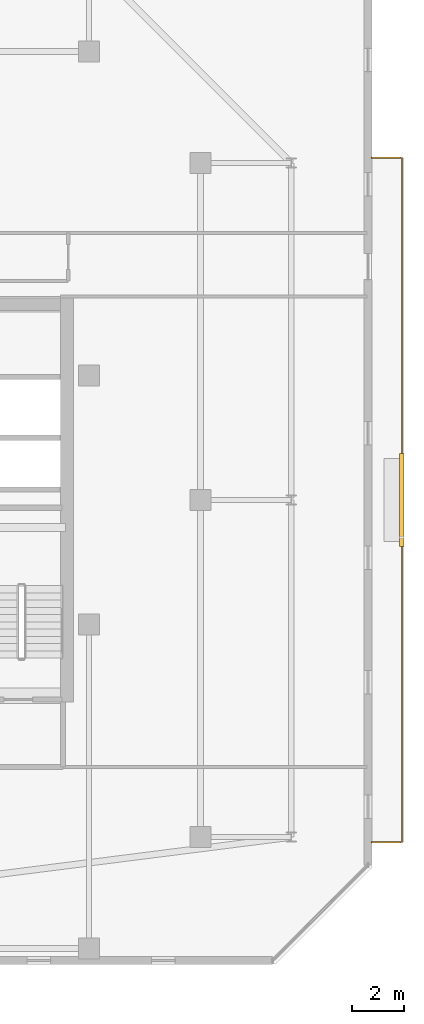
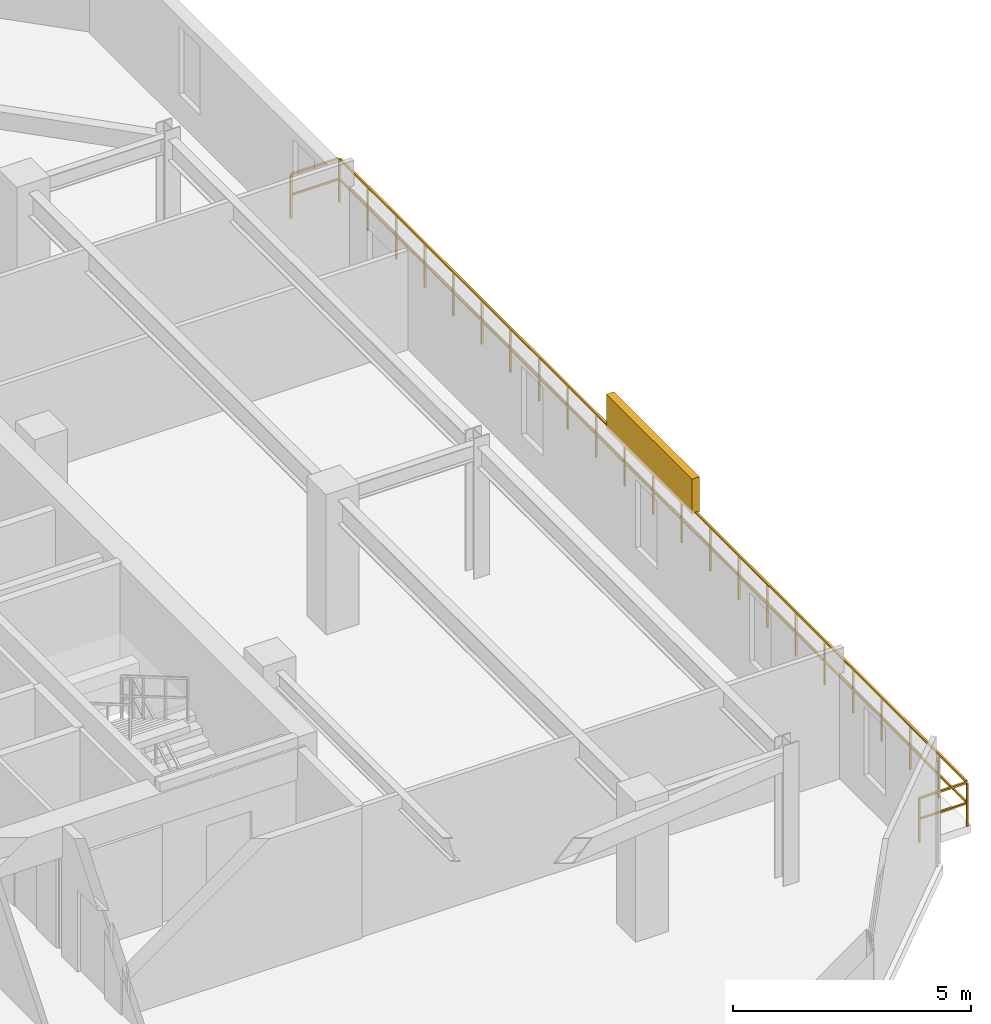
# One storey, part 34 of 34: 1 railing, 1 shading device.
"""IFC4 building model written with IfcOpenShell, lengths in metres."""

from ifc_helpers import new_model, si_unit, direction, frame, origin, origin_2d, place, context, subcontext, project, spatial, rectangle, extrude, material, type_object, element, save


model = new_model("IFC4")

# Units and contexts
model_context = context("Model", 3, precision=1e-05, world=origin(), true_north=direction((0.0, 1.0)))
body_context = subcontext(model_context, "Body", "Model", "MODEL_VIEW")
ifc_project = project(units=[si_unit("LENGTHUNIT", "METRE"), si_unit("AREAUNIT", "SQUARE_METRE"), si_unit("VOLUMEUNIT", "CUBIC_METRE"), si_unit("PLANEANGLEUNIT", "RADIAN"), si_unit("MASSUNIT", "GRAM", prefix="KILO")], contexts=[model_context])

# Site, building, storey
site_placement = place(None, origin())
site = spatial("IfcSite", under=ifc_project, at=site_placement, CompositionType="ELEMENT")
building_placement = place(site_placement, origin())
building = spatial("IfcBuilding", under=site, at=building_placement, Name="Thornwick Lancets Civic Towers", CompositionType="ELEMENT")
storey_placement = place(building_placement, frame((0.0, 0.0, 261.89990234375)))
storey = spatial("IfcBuildingStorey", under=building, at=storey_placement, Name="L70", CompositionType="ELEMENT", Elevation=261.89990234375)

# Railing
ifc_material_1 = material(Name="Terracotta-capped laminated glass balustrade S355", Category="masonry")
railing_type = type_object("IfcRailingType", Name="RAIL_TERR_GUARD", PredefinedType="GUARDRAIL", material=ifc_material_1)
railing_placement = place(storey_placement, frame((112.39990234375, 13.800048828125, 0.0)))
element("IfcRailing", 1, at=railing_placement, inside=storey, type_object=railing_type, Name="L70 Tower B Balcony Guard E", PredefinedType="GUARDRAIL", context=body_context, shape_type="SweptSolid", body=[
    extrude(rectangle(XDim=0.048095703125, YDim=0.048095703125, at=origin_2d()), frame((0.0, 0.0, 1.1259765625), z_axis=(1.0, 0.0, 0.0), x_axis=(0.0, 1.0, 0.0)), (0.0, 0.0, 1.0), 1.138916015625),
    extrude(rectangle(XDim=0.0419921875, YDim=0.0419921875, at=origin_2d()), frame((0.03759765625, 0.0, 0.597900390625), z_axis=(1.0, 0.0, 0.0), x_axis=(0.0, 1.0, 0.0)), (0.0, 0.0, 1.0), 1.09521484375),
    extrude(rectangle(XDim=0.048095703125, YDim=0.048095703125, at=origin_2d()), frame((1.170166015625, 0.03125, 1.1259765625), z_axis=(0.0, 1.0, 0.0), x_axis=(-1.0, 0.0, 0.0)), (0.0, 0.0, 1.0), 26.33740234375),
    extrude(rectangle(XDim=0.0419921875, YDim=0.0419921875, at=origin_2d()), frame((1.170166015625, 0.03759765625, 0.597900390625), z_axis=(0.0, 1.0, 0.0), x_axis=(-1.0, 0.0, 0.0)), (0.0, 0.0, 1.0), 1.125),
    extrude(rectangle(XDim=0.0419921875, YDim=0.0419921875, at=origin_2d()), frame((1.170166015625, 1.237548828125, 0.597900390625), z_axis=(0.0, 1.0, 0.0), x_axis=(-1.0, 0.0, 0.0)), (0.0, 0.0, 1.0), 1.125),
    extrude(rectangle(XDim=0.0419921875, YDim=0.0419921875, at=origin_2d()), frame((1.170166015625, 2.4375, 0.597900390625), z_axis=(0.0, 1.0, 0.0), x_axis=(-1.0, 0.0, 0.0)), (0.0, 0.0, 1.0), 1.125),
    extrude(rectangle(XDim=0.0419921875, YDim=0.0419921875, at=origin_2d()), frame((1.170166015625, 3.637451171875, 0.597900390625), z_axis=(0.0, 1.0, 0.0), x_axis=(-1.0, 0.0, 0.0)), (0.0, 0.0, 1.0), 1.125),
    extrude(rectangle(XDim=0.0419921875, YDim=0.0419921875, at=origin_2d()), frame((1.170166015625, 4.83740234375, 0.597900390625), z_axis=(0.0, 1.0, 0.0), x_axis=(-1.0, 0.0, 0.0)), (0.0, 0.0, 1.0), 1.125),
    extrude(rectangle(XDim=0.0419921875, YDim=0.0419921875, at=origin_2d()), frame((1.170166015625, 6.037353515625, 0.597900390625), z_axis=(0.0, 1.0, 0.0), x_axis=(-1.0, 0.0, 0.0)), (0.0, 0.0, 1.0), 1.125),
    extrude(rectangle(XDim=0.0419921875, YDim=0.0419921875, at=origin_2d()), frame((1.170166015625, 7.237548828125, 0.597900390625), z_axis=(0.0, 1.0, 0.0), x_axis=(-1.0, 0.0, 0.0)), (0.0, 0.0, 1.0), 1.125),
    extrude(rectangle(XDim=0.0419921875, YDim=0.0419921875, at=origin_2d()), frame((1.170166015625, 8.4375, 0.597900390625), z_axis=(0.0, 1.0, 0.0), x_axis=(-1.0, 0.0, 0.0)), (0.0, 0.0, 1.0), 1.125),
    extrude(rectangle(XDim=0.0419921875, YDim=0.0419921875, at=origin_2d()), frame((1.170166015625, 9.637451171875, 0.597900390625), z_axis=(0.0, 1.0, 0.0), x_axis=(-1.0, 0.0, 0.0)), (0.0, 0.0, 1.0), 1.125),
    extrude(rectangle(XDim=0.0419921875, YDim=0.0419921875, at=origin_2d()), frame((1.170166015625, 10.83740234375, 0.597900390625), z_axis=(0.0, 1.0, 0.0), x_axis=(-1.0, 0.0, 0.0)), (0.0, 0.0, 1.0), 1.125),
    extrude(rectangle(XDim=0.0419921875, YDim=0.0419921875, at=origin_2d()), frame((1.170166015625, 12.037353515625, 0.597900390625), z_axis=(0.0, 1.0, 0.0), x_axis=(-1.0, 0.0, 0.0)), (0.0, 0.0, 1.0), 1.125),
    extrude(rectangle(XDim=0.0419921875, YDim=0.0419921875, at=origin_2d()), frame((1.170166015625, 13.237548828125, 0.597900390625), z_axis=(0.0, 1.0, 0.0), x_axis=(-1.0, 0.0, 0.0)), (0.0, 0.0, 1.0), 1.125),
    extrude(rectangle(XDim=0.0419921875, YDim=0.0419921875, at=origin_2d()), frame((1.170166015625, 14.4375, 0.597900390625), z_axis=(0.0, 1.0, 0.0), x_axis=(-1.0, 0.0, 0.0)), (0.0, 0.0, 1.0), 1.125),
    extrude(rectangle(XDim=0.0419921875, YDim=0.0419921875, at=origin_2d()), frame((1.170166015625, 15.637451171875, 0.597900390625), z_axis=(0.0, 1.0, 0.0), x_axis=(-1.0, 0.0, 0.0)), (0.0, 0.0, 1.0), 1.125),
    extrude(rectangle(XDim=0.0419921875, YDim=0.0419921875, at=origin_2d()), frame((1.170166015625, 16.83740234375, 0.597900390625), z_axis=(0.0, 1.0, 0.0), x_axis=(-1.0, 0.0, 0.0)), (0.0, 0.0, 1.0), 1.125),
    extrude(rectangle(XDim=0.0419921875, YDim=0.0419921875, at=origin_2d()), frame((1.170166015625, 18.037353515625, 0.597900390625), z_axis=(0.0, 1.0, 0.0), x_axis=(-1.0, 0.0, 0.0)), (0.0, 0.0, 1.0), 1.125),
    extrude(rectangle(XDim=0.0419921875, YDim=0.0419921875, at=origin_2d()), frame((1.170166015625, 19.2373046875, 0.597900390625), z_axis=(0.0, 1.0, 0.0), x_axis=(-1.0, 0.0, 0.0)), (0.0, 0.0, 1.0), 1.125),
    extrude(rectangle(XDim=0.0419921875, YDim=0.0419921875, at=origin_2d()), frame((1.170166015625, 20.4375, 0.597900390625), z_axis=(0.0, 1.0, 0.0), x_axis=(-1.0, 0.0, 0.0)), (0.0, 0.0, 1.0), 1.125),
    extrude(rectangle(XDim=0.0419921875, YDim=0.0419921875, at=origin_2d()), frame((1.170166015625, 21.637451171875, 0.597900390625), z_axis=(0.0, 1.0, 0.0), x_axis=(-1.0, 0.0, 0.0)), (0.0, 0.0, 1.0), 1.125),
    extrude(rectangle(XDim=0.0419921875, YDim=0.0419921875, at=origin_2d()), frame((1.170166015625, 22.83740234375, 0.597900390625), z_axis=(0.0, 1.0, 0.0), x_axis=(-1.0, 0.0, 0.0)), (0.0, 0.0, 1.0), 1.125),
    extrude(rectangle(XDim=0.0419921875, YDim=0.0419921875, at=origin_2d()), frame((1.170166015625, 24.037353515625, 0.597900390625), z_axis=(0.0, 1.0, 0.0), x_axis=(-1.0, 0.0, 0.0)), (0.0, 0.0, 1.0), 1.125),
    extrude(rectangle(XDim=0.0419921875, YDim=0.0419921875, at=origin_2d()), frame((1.170166015625, 25.2373046875, 0.597900390625), z_axis=(0.0, 1.0, 0.0), x_axis=(-1.0, 0.0, 0.0)), (0.0, 0.0, 1.0), 1.125),
    extrude(rectangle(XDim=0.048095703125, YDim=0.048095703125, at=origin_2d()), frame((1.138916015625, 26.39990234375, 1.1259765625), z_axis=(-1.0, 0.0, 0.0), x_axis=(0.0, -1.0, 0.0)), (0.0, 0.0, 1.0), 1.138916015625),
    extrude(rectangle(XDim=0.0419921875, YDim=0.0419921875, at=origin_2d()), frame((1.132568359375, 26.39990234375, 0.597900390625), z_axis=(-1.0, 0.0, 0.0), x_axis=(0.0, -1.0, 0.0)), (0.0, 0.0, 1.0), 1.09521484375),
    extrude(rectangle(XDim=0.0419921875, YDim=0.0419921875, at=origin_2d()), origin(), (0.0, 0.0, 1.0), 1.095703125),
    extrude(rectangle(XDim=0.0419921875, YDim=0.0419921875, at=origin_2d()), frame((1.170166015625, 0.0, 0.0)), (0.0, 0.0, 1.0), 1.095703125),
    extrude(rectangle(XDim=0.0419921875, YDim=0.0419921875, at=origin_2d()), frame((1.170166015625, 1.199951171875, 0.0)), (0.0, 0.0, 1.0), 1.095703125),
    extrude(rectangle(XDim=0.0419921875, YDim=0.0419921875, at=origin_2d()), frame((1.170166015625, 2.39990234375, 0.0)), (0.0, 0.0, 1.0), 1.095703125),
    extrude(rectangle(XDim=0.0419921875, YDim=0.0419921875, at=origin_2d()), frame((1.170166015625, 3.60009765625, 0.0)), (0.0, 0.0, 1.0), 1.095703125),
    extrude(rectangle(XDim=0.0419921875, YDim=0.0419921875, at=origin_2d()), frame((1.170166015625, 4.800048828125, 0.0)), (0.0, 0.0, 1.0), 1.095703125),
    extrude(rectangle(XDim=0.0419921875, YDim=0.0419921875, at=origin_2d()), frame((1.170166015625, 6.0, 0.0)), (0.0, 0.0, 1.0), 1.095703125),
    extrude(rectangle(XDim=0.0419921875, YDim=0.0419921875, at=origin_2d()), frame((1.170166015625, 7.199951171875, 0.0)), (0.0, 0.0, 1.0), 1.095703125),
    extrude(rectangle(XDim=0.0419921875, YDim=0.0419921875, at=origin_2d()), frame((1.170166015625, 8.39990234375, 0.0)), (0.0, 0.0, 1.0), 1.095703125),
    extrude(rectangle(XDim=0.0419921875, YDim=0.0419921875, at=origin_2d()), frame((1.170166015625, 9.599853515625, 0.0)), (0.0, 0.0, 1.0), 1.095703125),
    extrude(rectangle(XDim=0.0419921875, YDim=0.0419921875, at=origin_2d()), frame((1.170166015625, 10.800048828125, 0.0)), (0.0, 0.0, 1.0), 1.095703125),
    extrude(rectangle(XDim=0.0419921875, YDim=0.0419921875, at=origin_2d()), frame((1.170166015625, 12.0, 0.0)), (0.0, 0.0, 1.0), 1.095703125),
    extrude(rectangle(XDim=0.0419921875, YDim=0.0419921875, at=origin_2d()), frame((1.170166015625, 13.199951171875, 0.0)), (0.0, 0.0, 1.0), 1.095703125),
    extrude(rectangle(XDim=0.0419921875, YDim=0.0419921875, at=origin_2d()), frame((1.170166015625, 14.39990234375, 0.0)), (0.0, 0.0, 1.0), 1.095703125),
    extrude(rectangle(XDim=0.0419921875, YDim=0.0419921875, at=origin_2d()), frame((1.170166015625, 15.599853515625, 0.0)), (0.0, 0.0, 1.0), 1.095703125),
    extrude(rectangle(XDim=0.0419921875, YDim=0.0419921875, at=origin_2d()), frame((1.170166015625, 16.800048828125, 0.0)), (0.0, 0.0, 1.0), 1.095703125),
    extrude(rectangle(XDim=0.0419921875, YDim=0.0419921875, at=origin_2d()), frame((1.170166015625, 18.0, 0.0)), (0.0, 0.0, 1.0), 1.095703125),
    extrude(rectangle(XDim=0.0419921875, YDim=0.0419921875, at=origin_2d()), frame((1.170166015625, 19.199951171875, 0.0)), (0.0, 0.0, 1.0), 1.095703125),
    extrude(rectangle(XDim=0.0419921875, YDim=0.0419921875, at=origin_2d()), frame((1.170166015625, 20.39990234375, 0.0)), (0.0, 0.0, 1.0), 1.095703125),
    extrude(rectangle(XDim=0.0419921875, YDim=0.0419921875, at=origin_2d()), frame((1.170166015625, 21.599853515625, 0.0)), (0.0, 0.0, 1.0), 1.095703125),
    extrude(rectangle(XDim=0.0419921875, YDim=0.0419921875, at=origin_2d()), frame((1.170166015625, 22.7998046875, 0.0)), (0.0, 0.0, 1.0), 1.095703125),
    extrude(rectangle(XDim=0.0419921875, YDim=0.0419921875, at=origin_2d()), frame((1.170166015625, 24.0, 0.0)), (0.0, 0.0, 1.0), 1.095703125),
    extrude(rectangle(XDim=0.0419921875, YDim=0.0419921875, at=origin_2d()), frame((1.170166015625, 25.199951171875, 0.0)), (0.0, 0.0, 1.0), 1.095703125),
    extrude(rectangle(XDim=0.0419921875, YDim=0.0419921875, at=origin_2d()), frame((1.170166015625, 26.39990234375, 0.0)), (0.0, 0.0, 1.0), 1.095703125),
    extrude(rectangle(XDim=0.0419921875, YDim=0.0419921875, at=origin_2d()), frame((0.0, 26.39990234375, 0.0)), (0.0, 0.0, 1.0), 1.095703125),
])

# Shading device
ifc_material_2 = material(Name="Extruded terracotta baguette solar screen", Category="masonry")
shading_device_type = type_object("IfcShadingDeviceType", Name="SHADE_BAGUETTE", PredefinedType="JALOUSIE", material=ifc_material_2)
shading_device_placement = place(storey_placement, frame((113.56005859375, 27.0, 1.1201171875), z_axis=(0.0, 0.0, 1.0), x_axis=(0.0, 1.0, 0.0)))
element("IfcShadingDevice", 2, at=shading_device_placement, inside=storey, type_object=shading_device_type, Name="L70 Tower B Terracotta Baguette Screen E", PredefinedType="JALOUSIE", context=body_context, shape_type="SweptSolid", body=[
    extrude(rectangle(XDim=3.60009765625, YDim=0.179931640625, at=origin_2d()), origin(), (0.0, 0.0, 1.0), 0.89990234375),
])

save(model, "model.ifc")
